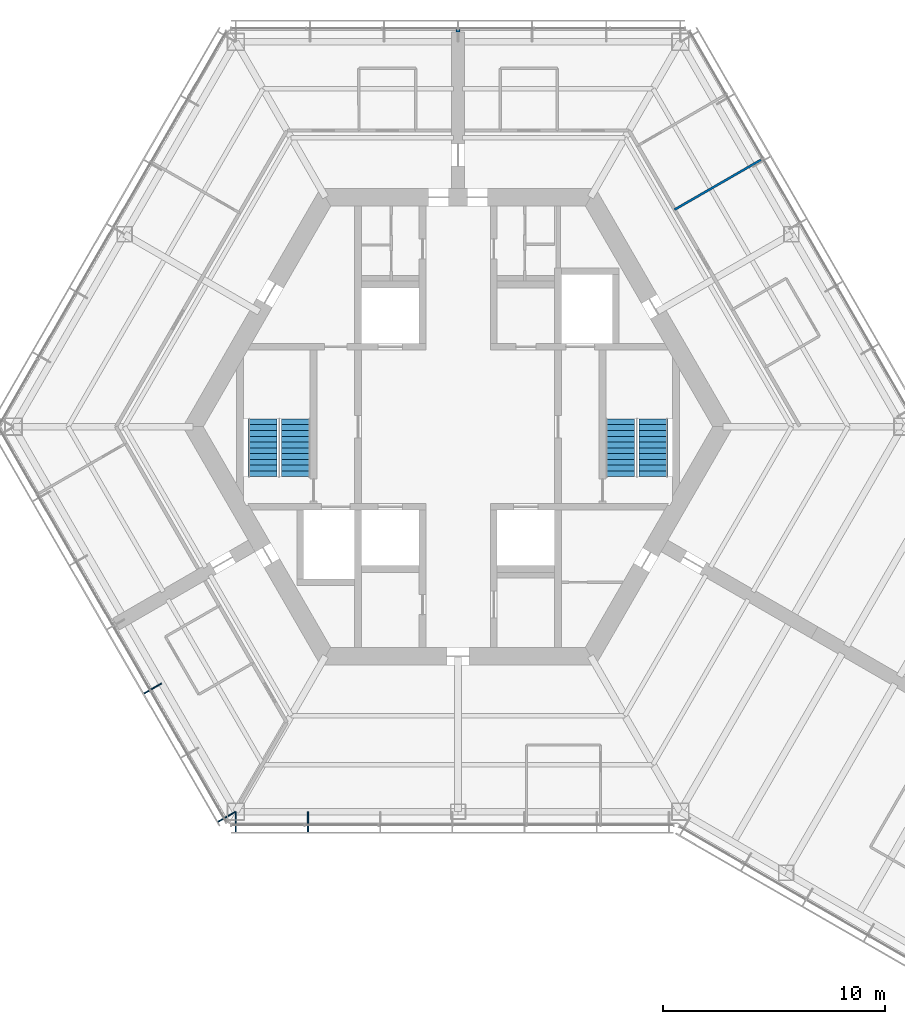
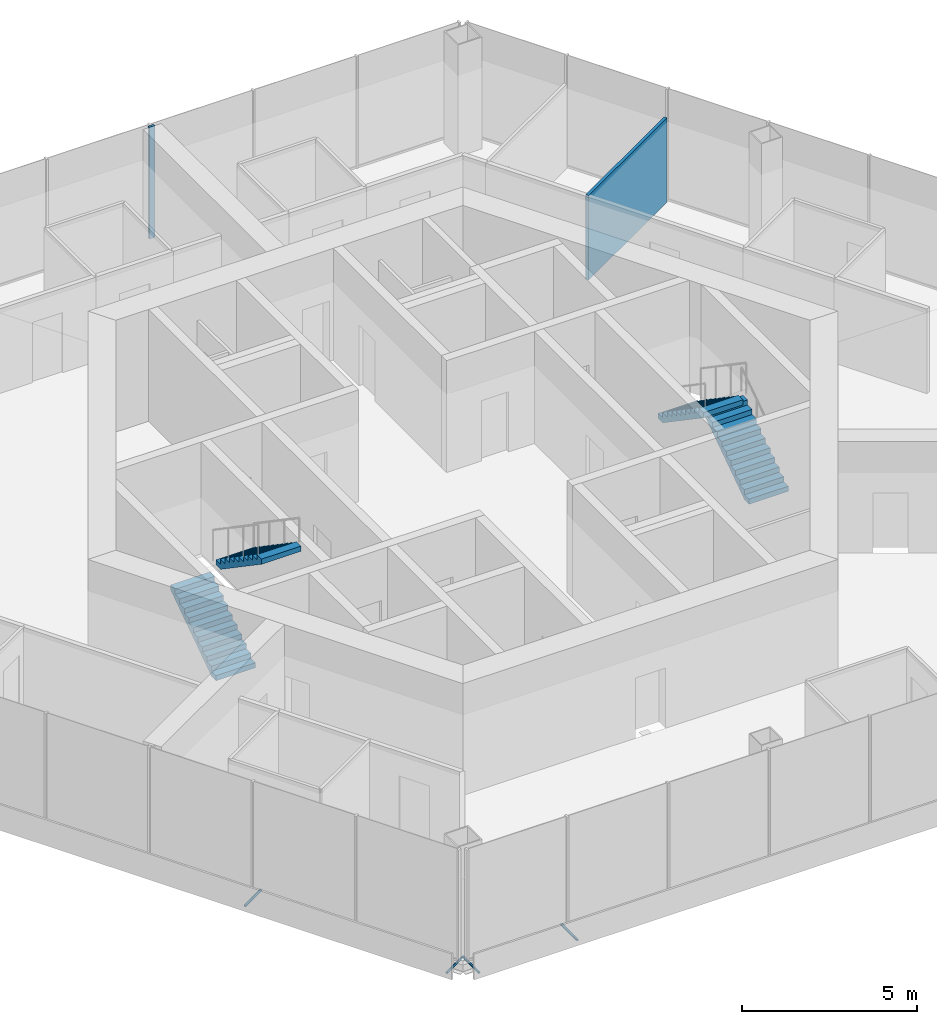
# One storey, part 13 of 15: 4 discrete accessories, 4 stair flights, 2 walls, 2 elements without a shape of their own.
"""IFC4 building model written with IfcOpenShell, lengths in metres."""

from ifc_helpers import new_model, si_unit, direction, frame, frame_2d, origin, origin_2d, place, context, subcontext, project, spatial, polyline, rectangle, hollow_circle, outline, extrude, material, layer, layer_set, material_profile, profile_set, type_object, element, aggregate, save


model = new_model("IFC4")

# Units and contexts
model_context = context("Model", 3, precision=1e-05, world=origin(), true_north=direction((0.0, 1.0)))
body_context = subcontext(model_context, "Body", "Model", "MODEL_VIEW")
ifc_project = project(units=[si_unit("LENGTHUNIT", "METRE"), si_unit("AREAUNIT", "SQUARE_METRE"), si_unit("VOLUMEUNIT", "CUBIC_METRE"), si_unit("PLANEANGLEUNIT", "RADIAN"), si_unit("MASSUNIT", "GRAM", prefix="KILO")], contexts=[model_context])

# Site, building, storey
site_placement = place(None, origin())
site = spatial("IfcSite", under=ifc_project, at=site_placement, CompositionType="ELEMENT")
building_placement = place(site_placement, origin())
building = spatial("IfcBuilding", under=site, at=building_placement, Name="Kasaneha Research Tower", CompositionType="ELEMENT")
storey_placement = place(building_placement, frame((0.0, 0.0, 236.199951171875)))
storey = spatial("IfcBuildingStorey", under=building, at=storey_placement, Name="L59", CompositionType="ELEMENT", Elevation=236.199951171875)

# Walls
ifc_material_1 = material(Name="Gypsum board on steel studs, one layer each side", Category="steel")
ifc_layer_1 = layer(ifc_material_1, 0.10009765625)
ifc_layer_set_1 = layer_set([ifc_layer_1], Name="Office partition 100")
wall_type_1 = type_object("IfcWallType", Name="Office partition 100", PredefinedType="PARTITIONING", material=ifc_layer_set_1)
wall_1_placement = place(storey_placement, frame((13.623291015625, 12.00439453125, 0.0), z_axis=(0.0, 0.0, 1.0), x_axis=(-0.866535947524, -0.499114667835, 0.0)))
element("IfcWall", 1, at=wall_1_placement, inside=storey, type_object=wall_type_1, Name="Office partition FAE15 L59", PredefinedType="PARTITIONING", context=body_context, shape_type="SweptSolid", body=[
    extrude(rectangle(XDim=4.47509765625, YDim=0.10009765625, at=frame_2d((2.237548828125, 0.0))), origin(), (0.0, 0.0, 1.0), 2.949951171875),
])
ifc_material_2 = material(Name="Gypsum board on steel studs, two layers each side", Category="steel")
ifc_layer_2 = layer(ifc_material_2, 0.175048828125)
ifc_layer_set_2 = layer_set([ifc_layer_2], Name="Tenancy fire partition 175")
wall_type_2 = type_object("IfcWallType", Name="Tenancy fire partition 175", PredefinedType="PARTITIONING", material=ifc_layer_set_2)
wall_2_placement = place(storey_placement, frame((0.0, 17.7705078125, 0.0), z_axis=(0.0, 0.0, 1.0), x_axis=(0.0, 1.0, 0.0)))
element("IfcWall", 2, at=wall_2_placement, inside=storey, type_object=wall_type_2, Name="Spine wall closer SW4-600 L59", PredefinedType="PARTITIONING", context=body_context, shape_type="SweptSolid", body=[
    extrude(rectangle(XDim=0.0849609375, YDim=0.175048828125, at=frame_2d((0.04248046875, 0.0))), origin(), (0.0, 0.0, 1.0), 3.900146484375),
])

# Stair, stair flights
ifc_material_3 = material(Name="Concrete Fc24", Category="concrete")
stair_type = type_object("IfcStairType", Name="Half-turn stair 22 risers", PredefinedType="HALF_TURN_STAIR", material=ifc_material_3)
stair_1_placement = place(storey_placement, origin())
stair_1 = element("IfcStair", 3, at=stair_1_placement, inside=storey, type_object=stair_type, Name="Stair 1 L59", PredefinedType="HALF_TURN_STAIR")
ifc_material_4 = material(Name="Concrete Fc24", Category="concrete")
stair_flight_type = type_object("IfcStairFlightType", Name="Stair flight 11 risers 177.3", PredefinedType="STRAIGHT", material=ifc_material_4)
stair_flight_1_placement = place(storey_placement, frame((8.800048828125, -2.25, 0.0), z_axis=(0.0, 0.0, 1.0), x_axis=(0.0, 1.0, 0.0)))
stair_flight_1 = element("IfcStairFlight", 4, at=stair_flight_1_placement, type_object=stair_flight_type, Name="ST1-22R flight 1", NumberOfRisers=11, NumberOfTreads=10, PredefinedType="STRAIGHT", RiserHeight=0.177272727, TreadLength=0.26, context=body_context, shape_type="SweptSolid", body=[
    extrude(outline(polyline([(0.0, 0.0), (0.0, 0.17724609375), (0.260009765625, 0.17724609375), (0.260009765625, 0.3544921875), (0.52001953125, 0.3544921875), (0.52001953125, 0.53173828125), (0.780029296875, 0.53173828125), (0.780029296875, 0.708984375), (1.0400390625, 0.708984375), (1.0400390625, 0.886474609375), (1.300048828125, 0.886474609375), (1.300048828125, 1.063720703125), (1.56005859375, 1.063720703125), (1.56005859375, 1.240966796875), (1.820068359375, 1.240966796875), (1.820068359375, 1.418212890625), (2.080078125, 1.418212890625), (2.080078125, 1.595458984375), (2.340087890625, 1.595458984375), (2.340087890625, 1.772705078125), (2.60009765625, 1.772705078125), (2.60009765625, 1.949951171875), (2.60009765625, 1.59130859375), (0.26611328125, 0.0), (0.0, 0.0)])), frame((0.0, 0.64990234375, 0.0), z_axis=(0.0, -1.0, 0.0), x_axis=(1.0, 0.0, 0.0)), (0.0, 0.0, 1.0), 1.300048828125),
])
stair_flight_2_placement = place(storey_placement, frame((7.300048828125, 0.35009765625, 1.949951171875), z_axis=(0.0, 0.0, 1.0), x_axis=(0.0, -1.0, 0.0)))
stair_flight_2 = element("IfcStairFlight", 5, at=stair_flight_2_placement, type_object=stair_flight_type, Name="ST1-22R flight 2", NumberOfRisers=11, NumberOfTreads=10, PredefinedType="STRAIGHT", RiserHeight=0.177272727, TreadLength=0.26, context=body_context, shape_type="SweptSolid", body=[
    extrude(outline(polyline([(0.0, 0.0), (0.0, 0.17724609375), (0.260009765625, 0.17724609375), (0.260009765625, 0.3544921875), (0.52001953125, 0.3544921875), (0.52001953125, 0.53173828125), (0.780029296875, 0.53173828125), (0.780029296875, 0.708984375), (1.0400390625, 0.708984375), (1.0400390625, 0.886474609375), (1.300048828125, 0.886474609375), (1.300048828125, 1.063720703125), (1.56005859375, 1.063720703125), (1.56005859375, 1.240966796875), (1.820068359375, 1.240966796875), (1.820068359375, 1.418212890625), (2.080078125, 1.418212890625), (2.080078125, 1.595458984375), (2.340087890625, 1.595458984375), (2.340087890625, 1.772705078125), (2.60009765625, 1.772705078125), (2.60009765625, 1.949951171875), (2.60009765625, 1.59130859375), (0.26611328125, 0.0), (0.0, 0.0)])), frame((0.0, 0.64990234375, 0.0), z_axis=(0.0, -1.0, 0.0), x_axis=(1.0, 0.0, 0.0)), (0.0, 0.0, 1.0), 1.300048828125),
])
aggregate(stair_1, [stair_flight_1, stair_flight_2])

stair_2_placement = place(storey_placement, origin())
stair_2 = element("IfcStair", 6, at=stair_2_placement, inside=storey, type_object=stair_type, Name="Stair 2 L59", PredefinedType="HALF_TURN_STAIR")
stair_flight_3_placement = place(storey_placement, frame((-8.800048828125, -2.25, 0.0), z_axis=(0.0, 0.0, 1.0), x_axis=(0.0, 1.0, 0.0)))
stair_flight_3 = element("IfcStairFlight", 7, at=stair_flight_3_placement, type_object=stair_flight_type, Name="ST2-22R flight 1", NumberOfRisers=11, NumberOfTreads=10, PredefinedType="STRAIGHT", RiserHeight=0.177272727, TreadLength=0.26, context=body_context, shape_type="SweptSolid", body=[
    extrude(outline(polyline([(0.0, 0.0), (0.0, 0.17724609375), (0.260009765625, 0.17724609375), (0.260009765625, 0.3544921875), (0.52001953125, 0.3544921875), (0.52001953125, 0.53173828125), (0.780029296875, 0.53173828125), (0.780029296875, 0.708984375), (1.0400390625, 0.708984375), (1.0400390625, 0.886474609375), (1.300048828125, 0.886474609375), (1.300048828125, 1.063720703125), (1.56005859375, 1.063720703125), (1.56005859375, 1.240966796875), (1.820068359375, 1.240966796875), (1.820068359375, 1.418212890625), (2.080078125, 1.418212890625), (2.080078125, 1.595458984375), (2.340087890625, 1.595458984375), (2.340087890625, 1.772705078125), (2.60009765625, 1.772705078125), (2.60009765625, 1.949951171875), (2.60009765625, 1.59130859375), (0.26611328125, 0.0), (0.0, 0.0)])), frame((0.0, 0.64990234375, 0.0), z_axis=(0.0, -1.0, 0.0), x_axis=(1.0, 0.0, 0.0)), (0.0, 0.0, 1.0), 1.300048828125),
])
stair_flight_4_placement = place(storey_placement, frame((-7.300048828125, 0.35009765625, 1.949951171875), z_axis=(0.0, 0.0, 1.0), x_axis=(0.0, -1.0, 0.0)))
stair_flight_4 = element("IfcStairFlight", 8, at=stair_flight_4_placement, type_object=stair_flight_type, Name="ST2-22R flight 2", NumberOfRisers=11, NumberOfTreads=10, PredefinedType="STRAIGHT", RiserHeight=0.177272727, TreadLength=0.26, context=body_context, shape_type="SweptSolid", body=[
    extrude(outline(polyline([(0.0, 0.0), (0.0, 0.17724609375), (0.260009765625, 0.17724609375), (0.260009765625, 0.3544921875), (0.52001953125, 0.3544921875), (0.52001953125, 0.53173828125), (0.780029296875, 0.53173828125), (0.780029296875, 0.708984375), (1.0400390625, 0.708984375), (1.0400390625, 0.886474609375), (1.300048828125, 0.886474609375), (1.300048828125, 1.063720703125), (1.56005859375, 1.063720703125), (1.56005859375, 1.240966796875), (1.820068359375, 1.240966796875), (1.820068359375, 1.418212890625), (2.080078125, 1.418212890625), (2.080078125, 1.595458984375), (2.340087890625, 1.595458984375), (2.340087890625, 1.772705078125), (2.60009765625, 1.772705078125), (2.60009765625, 1.949951171875), (2.60009765625, 1.59130859375), (0.26611328125, 0.0), (0.0, 0.0)])), frame((0.0, 0.64990234375, 0.0), z_axis=(0.0, -1.0, 0.0), x_axis=(1.0, 0.0, 0.0)), (0.0, 0.0, 1.0), 1.300048828125),
])
aggregate(stair_2, [stair_flight_3, stair_flight_4])

# Discrete accessories
ifc_material_5 = material(Name="Steel STK400", Category="steel")
ifc_material_profile = material_profile(ifc_material_5, hollow_circle(Radius=0.0380859375, WallThickness=0.00390625, at=origin_2d()), Name="CHS-76.3x4.0")
ifc_profile_set = profile_set([ifc_material_profile], Name="Steel STK400")
discrete_accessory_type = type_object("IfcDiscreteAccessoryType", Name="Screen bracket CHS-76.3x4.0", PredefinedType="BRACKET", material=ifc_profile_set)
discrete_accessory_1_placement = place(storey_placement, frame((-13.333984375, -11.5458984375, -0.300048828125), z_axis=(-0.866013213425, -0.500021113727, 0.0), x_axis=(0.500021113727, -0.866013213425, 0.0)))
element("IfcDiscreteAccessory", 9, at=discrete_accessory_1_placement, inside=storey, type_object=discrete_accessory_type, Name="Screen bracket 5", PredefinedType="BRACKET", context=body_context, shape_type="SweptSolid", body=[
    extrude(hollow_circle(Radius=0.0380859375, WallThickness=0.00390625, at=origin_2d()), origin(), (0.0, 0.0, 1.0), 0.919921875),
])
discrete_accessory_2_placement = place(storey_placement, frame((-10.001708984375, -17.3173828125, -0.300048828125), z_axis=(-0.866079547155, -0.499906209203, 0.0), x_axis=(0.499906209203, -0.866079547155, 0.0)))
element("IfcDiscreteAccessory", 10, at=discrete_accessory_2_placement, inside=storey, type_object=discrete_accessory_type, Name="Screen bracket 7", PredefinedType="BRACKET", context=body_context, shape_type="SweptSolid", body=[
    extrude(hollow_circle(Radius=0.0380859375, WallThickness=0.00390625, at=origin_2d()), origin(), (0.0, 0.0, 1.0), 0.920166015625),
])
for number, where, z_axis, x_axis, name in (
    (11, (-9.996337890625, -17.320556640625, -0.300048828125), (0.0, -1.0, 0.0), (1.0, 0.0, 0.0), "Screen bracket 1"),
    (12, (-6.748779296875, -17.320556640625, -0.300048828125), (0.0, -1.0, 0.0), (1.0, 0.0, 0.0), "Screen bracket 2"),
):
    element("IfcDiscreteAccessory", number, at=place(storey_placement, frame(where, z_axis=z_axis, x_axis=x_axis)), inside=storey, type_object=discrete_accessory_type, Name=name, PredefinedType="BRACKET", context=body_context, shape_type="SweptSolid", body=[
        extrude(hollow_circle(Radius=0.0380859375, WallThickness=0.00390625, at=origin_2d()), origin(), (0.0, 0.0, 1.0), 0.919921875),
    ])

save(model, "model.ifc")
